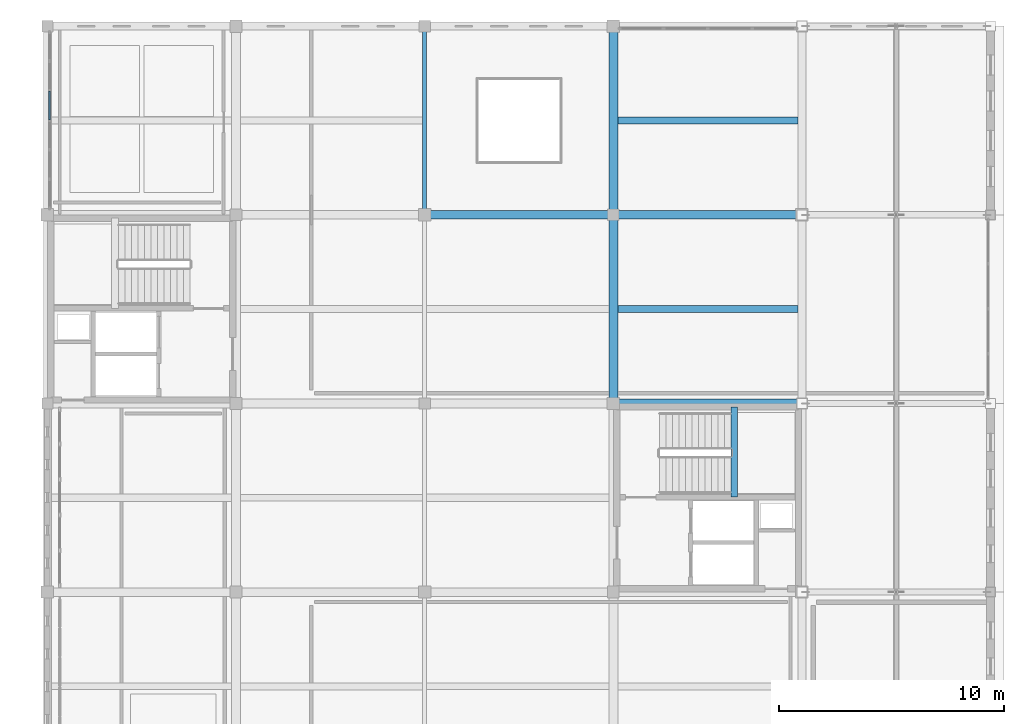
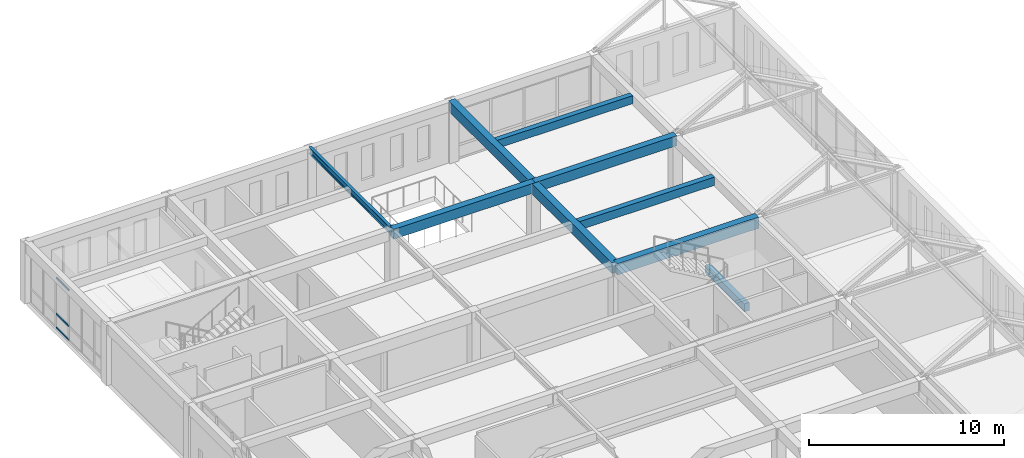
# One storey, part 15 of 36: 9 beams, 3 members, 1 element without a shape of its own.
"""IFC4 building model written with IfcOpenShell, lengths in metres."""

from ifc_helpers import new_model, si_unit, direction, frame, origin, origin_2d, place, context, subcontext, project, spatial, rectangle, i_section, extrude, material, layer, layer_set, material_profile, profile_set, type_object, element, aggregate, save


model = new_model("IFC4")

# Units and contexts
model_context = context("Model", 3, precision=1e-05, world=origin(), true_north=direction((0.0, 1.0)))
body_context = subcontext(model_context, "Body", "Model", "MODEL_VIEW")
ifc_project = project(units=[si_unit("LENGTHUNIT", "METRE"), si_unit("AREAUNIT", "SQUARE_METRE"), si_unit("VOLUMEUNIT", "CUBIC_METRE"), si_unit("PLANEANGLEUNIT", "RADIAN"), si_unit("MASSUNIT", "GRAM", prefix="KILO")], contexts=[model_context])

# Site, building, storey
site_placement = place(None, origin())
site = spatial("IfcSite", under=ifc_project, at=site_placement, CompositionType="ELEMENT")
building_placement = place(site_placement, origin())
building = spatial("IfcBuilding", under=site, at=building_placement, Name="Kveldsbrygga Polytechnic", CompositionType="ELEMENT")
storey_placement = place(building_placement, frame((0.0, 0.0, 22.10009765625)))
storey = spatial("IfcBuildingStorey", under=building, at=storey_placement, Name="L05", CompositionType="ELEMENT", Elevation=22.10009765625)

# Beams
ifc_material_1 = material(Name="Concrete C35/45", Category="concrete")
ifc_material_profile_1 = material_profile(ifc_material_1, rectangle(XDim=0.3798828125, YDim=0.6201171875, at=origin_2d()), Name="RC 380x620")
ifc_profile_set_1 = profile_set([ifc_material_profile_1], Name="Concrete C35/45")
beam_type_1 = type_object("IfcBeamType", Name="BM-RC-380x620", PredefinedType="BEAM", material=ifc_profile_set_1)
beam_1_placement = place(storey_placement, frame((142.800048828125, 92.39990234375, 3.469970703125), z_axis=(1.0, 0.0, 0.0), x_axis=(0.0, 1.0, 0.0)))
element("IfcBeam", 1, at=beam_1_placement, inside=storey, type_object=beam_type_1, Name="Primary Beam BMX-L05-17to18-11", PredefinedType="BEAM", context=body_context, shape_type="SweptSolid", body=[
    extrude(rectangle(XDim=0.3798828125, YDim=0.6201171875, at=origin_2d()), origin(), (0.0, 0.0, 1.0), 8.39990234375),
])
beam_2_placement = place(storey_placement, frame((151.199951171875, 92.39990234375, 3.469970703125), z_axis=(1.0, 0.0, 0.0), x_axis=(0.0, 1.0, 0.0)))
element("IfcBeam", 2, at=beam_2_placement, inside=storey, type_object=beam_type_1, Name="Primary Beam BMX-L05-18to19-11", PredefinedType="BEAM", context=body_context, shape_type="SweptSolid", body=[
    extrude(rectangle(XDim=0.3798828125, YDim=0.6201171875, at=origin_2d()), origin(), (0.0, 0.0, 1.0), 8.400146484375),
])
ifc_material_profile_2 = material_profile(ifc_material_1, rectangle(XDim=0.39990234375, YDim=0.64990234375, at=origin_2d()), Name="RC 400x650")
ifc_profile_set_2 = profile_set([ifc_material_profile_2], Name="Concrete C35/45")
beam_type_2 = type_object("IfcBeamType", Name="BM-RC-400x650", PredefinedType="BEAM", material=ifc_profile_set_2)
beam_3_placement = place(storey_placement, frame((151.199951171875, 84.0, 3.454833984375), z_axis=(0.0, 1.0, 0.0), x_axis=(-1.0, 0.0, 0.0)))
element("IfcBeam", 3, at=beam_3_placement, inside=storey, type_object=beam_type_2, Name="Primary Beam BMY-L05-18-10to11", PredefinedType="BEAM", context=body_context, shape_type="SweptSolid", body=[
    extrude(rectangle(XDim=0.39990234375, YDim=0.64990234375, at=origin_2d()), origin(), (0.0, 0.0, 1.0), 8.39990234375),
])
beam_4_placement = place(storey_placement, frame((151.199951171875, 92.39990234375, 3.454833984375), z_axis=(0.0, 1.0, 0.0), x_axis=(-1.0, 0.0, 0.0)))
element("IfcBeam", 4, at=beam_4_placement, inside=storey, type_object=beam_type_2, Name="Primary Beam BMY-L05-18-11to12", PredefinedType="BEAM", context=body_context, shape_type="SweptSolid", body=[
    extrude(rectangle(XDim=0.39990234375, YDim=0.64990234375, at=origin_2d()), origin(), (0.0, 0.0, 1.0), 8.400146484375),
])
ifc_material_profile_3 = material_profile(ifc_material_1, rectangle(XDim=0.39990234375, YDim=0.699951171875, at=origin_2d()), Name="RC 400x700")
ifc_profile_set_3 = profile_set([ifc_material_profile_3], Name="Concrete C35/45")
beam_type_3 = type_object("IfcBeamType", Name="BM-RC-400x700", PredefinedType="BEAM", material=ifc_profile_set_3)
beam_5_placement = place(storey_placement, frame((151.199951171875, 84.0, 3.429931640625), z_axis=(1.0, 0.0, 0.0), x_axis=(0.0, 1.0, 0.0)))
element("IfcBeam", 5, at=beam_5_placement, inside=storey, type_object=beam_type_3, Name="Primary Beam BMX-L05-18to19-10", PredefinedType="BEAM", context=body_context, shape_type="SweptSolid", body=[
    extrude(rectangle(XDim=0.39990234375, YDim=0.699951171875, at=origin_2d()), origin(), (0.0, 0.0, 1.0), 8.400146484375),
])
ifc_material_2 = material(Name="Steel S355", Category="steel")
ifc_material_profile_4 = material_profile(ifc_material_2, i_section(OverallWidth=0.179931640625, OverallDepth=0.39990234375, WebThickness=0.008544921875, FlangeThickness=0.013427734375, FilletRadius=0.02099609375, at=origin_2d()), Name="IPE 400")
ifc_profile_set_4 = profile_set([ifc_material_profile_4], Name="Steel S355")
beam_type_4 = type_object("IfcBeamType", Name="BM-STL-IPE400", PredefinedType="BEAM", material=ifc_profile_set_4)
beam_6_placement = place(storey_placement, frame((142.800048828125, 92.39990234375, 3.579833984375), z_axis=(0.0, 1.0, 0.0), x_axis=(-1.0, 0.0, 0.0)))
element("IfcBeam", 6, at=beam_6_placement, inside=storey, type_object=beam_type_4, Name="Primary Beam BMY-L05-17-11to12", PredefinedType="BEAM", context=body_context, shape_type="SweptSolid", body=[
    extrude(i_section(OverallWidth=0.179931640625, OverallDepth=0.39990234375, WebThickness=0.008544921875, FlangeThickness=0.013427734375, FilletRadius=0.02099609375, at=origin_2d()), origin(), (0.0, 0.0, 1.0), 8.400146484375),
])

# Curtain wall, members
ifc_material_3 = material(Name="Anodised aluminium AW-6060", Category="aluminium")
ifc_layer = layer(ifc_material_3, 0.179931640625)
ifc_layer_set = layer_set([ifc_layer], Name="Anodised aluminium AW-6060")
curtain_wall_type = type_object("IfcCurtainWallType", Name="CW-CONC-A", PredefinedType="USERDEFINED", material=ifc_layer_set)
curtain_wall_placement = place(storey_placement, origin())
curtain_wall = element("IfcCurtainWall", 7, at=curtain_wall_placement, inside=storey, type_object=curtain_wall_type, Name="Curtain Wall CW-L05-Y-15-11", ObjectType="UNITISED CURTAIN WALL", PredefinedType="USERDEFINED")
ifc_material_profile_5 = material_profile(ifc_material_3, rectangle(XDim=0.06005859375, YDim=0.1201171875, at=origin_2d()), Name="ALU 60x120")
ifc_profile_set_5 = profile_set([ifc_material_profile_5], Name="Anodised aluminium AW-6060")
member_type = type_object("IfcMemberType", Name="CW-TRN-120", PredefinedType="USERDEFINED", material=ifc_profile_set_5)
member_1_placement = place(storey_placement, frame((126.10009765625, 96.642578125, 0.02978515625), z_axis=(0.0, 1.0, 0.0), x_axis=(-1.0, 0.0, 0.0)))
member_1 = element("IfcMember", 8, at=member_1_placement, type_object=member_type, Name="CW-01 transom 4.1", ObjectType="TRANSOM", PredefinedType="USERDEFINED", context=body_context, shape_type="SweptSolid", body=[
    extrude(rectangle(XDim=0.06005859375, YDim=0.1201171875, at=origin_2d()), origin(), (0.0, 0.0, 1.0), 1.25732421875),
])
member_2_placement = place(storey_placement, frame((126.10009765625, 96.642578125, 0.89990234375), z_axis=(0.0, 1.0, 0.0), x_axis=(-1.0, 0.0, 0.0)))
member_2 = element("IfcMember", 9, at=member_2_placement, type_object=member_type, Name="CW-01 transom 4.2", ObjectType="TRANSOM", PredefinedType="USERDEFINED", context=body_context, shape_type="SweptSolid", body=[
    extrude(rectangle(XDim=0.06005859375, YDim=0.1201171875, at=origin_2d()), origin(), (0.0, 0.0, 1.0), 1.25732421875),
])
member_3_placement = place(storey_placement, frame((126.10009765625, 96.642578125, 3.14990234375), z_axis=(0.0, 1.0, 0.0), x_axis=(-1.0, 0.0, 0.0)))
member_3 = element("IfcMember", 10, at=member_3_placement, type_object=member_type, Name="CW-01 transom 4.3", ObjectType="TRANSOM", PredefinedType="USERDEFINED", context=body_context, shape_type="SweptSolid", body=[
    extrude(rectangle(XDim=0.06005859375, YDim=0.1201171875, at=origin_2d()), origin(), (0.0, 0.0, 1.0), 1.25732421875),
])
aggregate(curtain_wall, [member_1, member_2, member_3])

# Beams
ifc_material_profile_6 = material_profile(ifc_material_1, rectangle(XDim=0.300048828125, YDim=0.5, at=origin_2d()), Name="RC 300x500")
ifc_profile_set_6 = profile_set([ifc_material_profile_6], Name="Concrete C35/45")
beam_type_5 = type_object("IfcBeamType", Name="JST-RC-300x500", PredefinedType="JOIST", material=ifc_profile_set_6)
beam_7_placement = place(storey_placement, frame((151.39990234375, 96.60009765625, 3.52978515625), z_axis=(1.0, 0.0, 0.0), x_axis=(0.0, 1.0, 0.0)))
element("IfcBeam", 11, at=beam_7_placement, inside=storey, type_object=beam_type_5, Name="Secondary Joist JST-L05-18-11", PredefinedType="JOIST", context=body_context, shape_type="SweptSolid", body=[
    extrude(rectangle(XDim=0.300048828125, YDim=0.5, at=origin_2d()), origin(), (0.0, 0.0, 1.0), 8.025146484375),
])
ifc_material_profile_7 = material_profile(ifc_material_1, rectangle(XDim=0.320068359375, YDim=0.52001953125, at=origin_2d()), Name="RC 320x520")
ifc_profile_set_7 = profile_set([ifc_material_profile_7], Name="Concrete C35/45")
beam_type_6 = type_object("IfcBeamType", Name="JST-RC-320x520", PredefinedType="JOIST", material=ifc_profile_set_7)
beam_8_placement = place(storey_placement, frame((151.39990234375, 88.199951171875, 3.52001953125), z_axis=(1.0, 0.0, 0.0), x_axis=(0.0, 1.0, 0.0)))
element("IfcBeam", 12, at=beam_8_placement, inside=storey, type_object=beam_type_6, Name="Secondary Joist JST-L05-18-10", PredefinedType="JOIST", context=body_context, shape_type="SweptSolid", body=[
    extrude(rectangle(XDim=0.320068359375, YDim=0.52001953125, at=origin_2d()), origin(), (0.0, 0.0, 1.0), 8.025146484375),
])
ifc_material_profile_8 = material_profile(ifc_material_1, rectangle(XDim=0.300048828125, YDim=0.5, at=origin_2d()), Name="RC 300x500")
ifc_profile_set_8 = profile_set([ifc_material_profile_8], Name="Concrete C35/45")
beam_type_7 = type_object("IfcBeamType", Name="LNT-RC-300x500", PredefinedType="LINTEL", material=ifc_profile_set_8)
beam_9_placement = place(storey_placement, frame((156.590087890625, 79.830078125, 1.58984375), z_axis=(0.0, 1.0, 0.0), x_axis=(-1.0, 0.0, 0.0)))
element("IfcBeam", 13, at=beam_9_placement, inside=storey, type_object=beam_type_7, Name="Stair Landing Support Beam C4-L05-LNDB-1-1", PredefinedType="LINTEL", context=body_context, shape_type="SweptSolid", body=[
    extrude(rectangle(XDim=0.300048828125, YDim=0.5, at=origin_2d()), origin(), (0.0, 0.0, 1.0), 4.02001953125),
])

save(model, "model.ifc")
